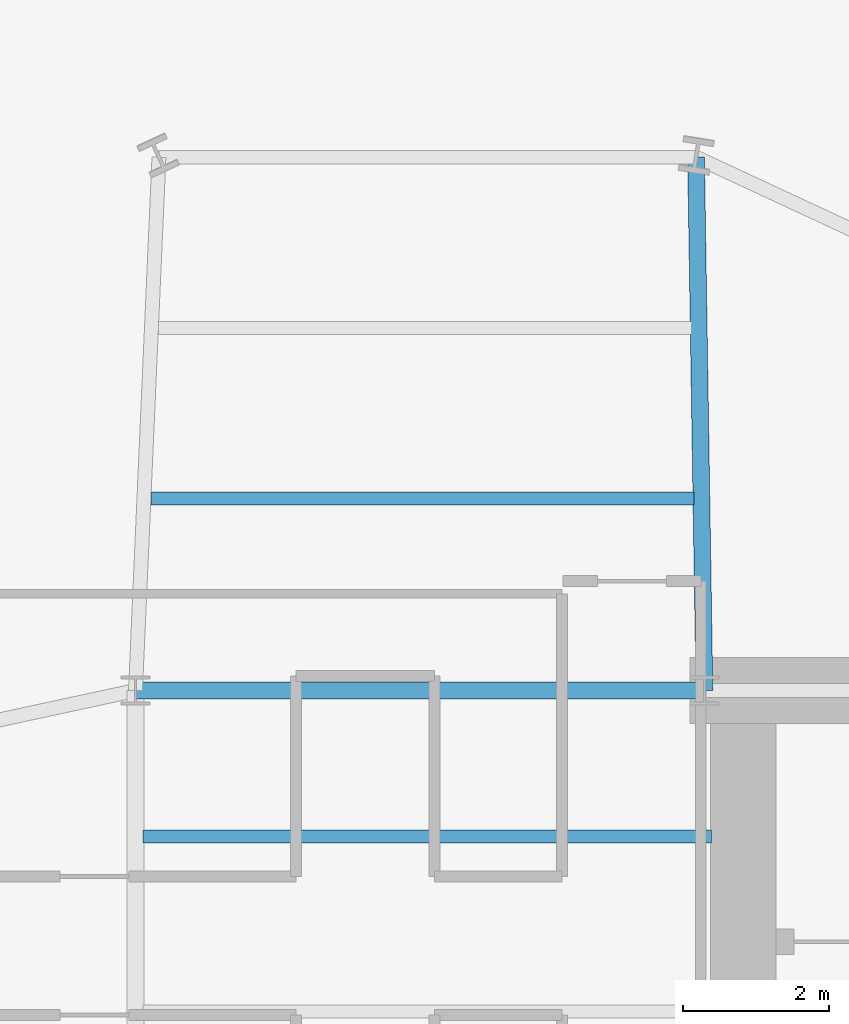
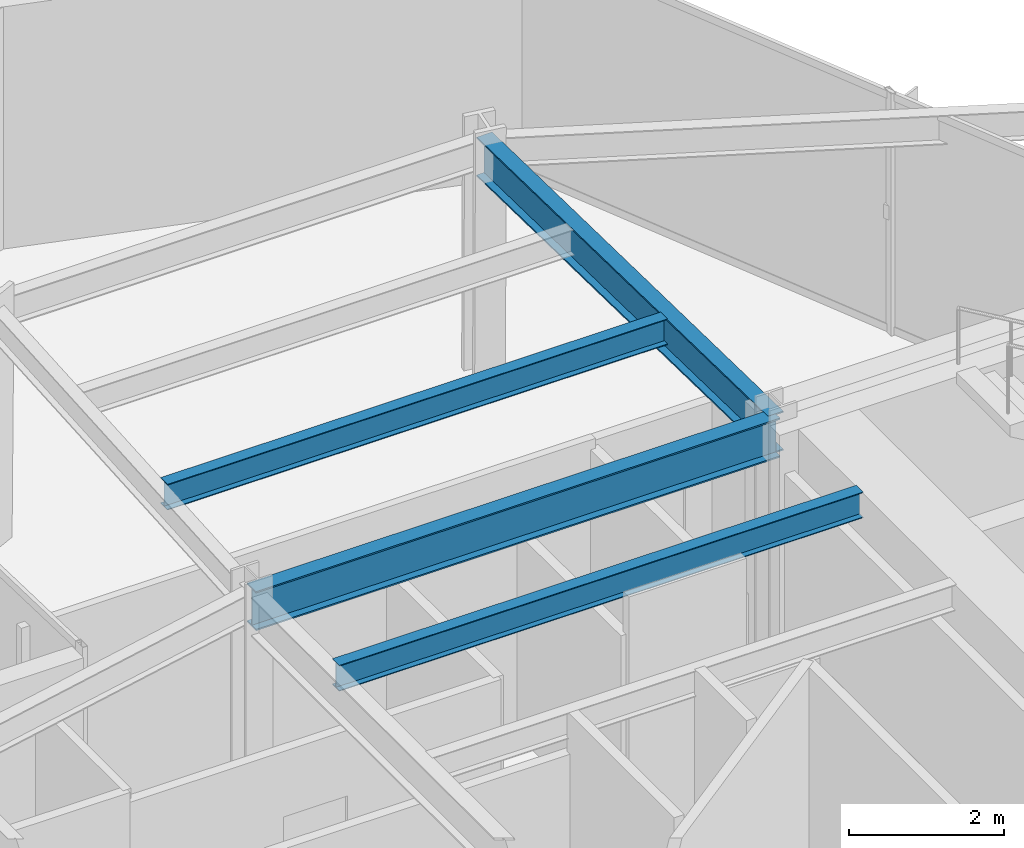
# One storey, part 10 of 27: 4 beams.
"""IFC4 building model written with IfcOpenShell, lengths in metres."""

from ifc_helpers import new_model, si_unit, direction, frame, origin, origin_2d, place, context, subcontext, project, spatial, i_section, extrude, material, material_profile, profile_set, type_object, element, save


model = new_model("IFC4")

# Units and contexts
model_context = context("Model", 3, precision=1e-05, world=origin(), true_north=direction((0.0, 1.0)))
body_context = subcontext(model_context, "Body", "Model", "MODEL_VIEW")
ifc_project = project(units=[si_unit("LENGTHUNIT", "METRE"), si_unit("AREAUNIT", "SQUARE_METRE"), si_unit("VOLUMEUNIT", "CUBIC_METRE"), si_unit("PLANEANGLEUNIT", "RADIAN"), si_unit("MASSUNIT", "GRAM", prefix="KILO")], contexts=[model_context])

# Site, building, storey
site_placement = place(None, origin())
site = spatial("IfcSite", under=ifc_project, at=site_placement, CompositionType="ELEMENT")
building_placement = place(site_placement, origin())
building = spatial("IfcBuilding", under=site, at=building_placement, Name="Veymaron Broadcast Tower", CompositionType="ELEMENT")
storey_placement = place(building_placement, frame((0.0, 0.0, 86.39990234375)))
storey = spatial("IfcBuildingStorey", under=building, at=storey_placement, Name="L19", CompositionType="ELEMENT", Elevation=86.39990234375)

# Beams
ifc_material = material(Name="Structural steel ASTM A992 Gr 50", Category="steel")
ifc_material_profile_1 = material_profile(ifc_material, i_section(OverallWidth=0.22998046875, OverallDepth=0.616943359375, WebThickness=0.01318359375, FlangeThickness=0.022216796875, at=origin_2d()), Name="W610X140")
ifc_profile_set_1 = profile_set([ifc_material_profile_1], Name="Structural steel ASTM A992 Gr 50")
beam_type_1 = type_object("IfcBeamType", Name="BM-FG1", PredefinedType="BEAM", material=ifc_profile_set_1)
beam_1_placement = place(storey_placement, frame((31.199951171875, 32.0, 3.501708984375), z_axis=(1.0, 0.0, 0.0), x_axis=(0.0, 1.0, 0.0)))
element("IfcBeam", 1, at=beam_1_placement, inside=storey, type_object=beam_type_1, Name="L19 primary structural floor girder", PredefinedType="BEAM", context=body_context, shape_type="SweptSolid", body=[
    extrude(i_section(OverallWidth=0.22998046875, OverallDepth=0.616943359375, WebThickness=0.01318359375, FlangeThickness=0.022216796875, at=origin_2d()), origin(), (0.0, 0.0, 1.0), 7.800048828125),
])
beam_2_placement = place(storey_placement, frame((39.0, 32.0, 3.501708984375), z_axis=(-0.015728466279, 0.999876300023, 0.0), x_axis=(-0.999876300023, -0.015728466279, 0.0)))
element("IfcBeam", 2, at=beam_2_placement, inside=storey, type_object=beam_type_1, Name="L19 primary structural floor girder", PredefinedType="BEAM", context=body_context, shape_type="SweptSolid", body=[
    extrude(i_section(OverallWidth=0.22998046875, OverallDepth=0.616943359375, WebThickness=0.01318359375, FlangeThickness=0.022216796875, at=origin_2d()), origin(), (0.0, 0.0, 1.0), 7.31103515625),
])
ifc_material_profile_2 = material_profile(ifc_material, i_section(OverallWidth=0.177978515625, OverallDepth=0.406982421875, WebThickness=0.0078125, FlangeThickness=0.0126953125, at=origin_2d()), Name="W410X60")
ifc_profile_set_2 = profile_set([ifc_material_profile_2], Name="Structural steel ASTM A992 Gr 50")
beam_type_2 = type_object("IfcBeamType", Name="BM-JS1", PredefinedType="JOIST", material=ifc_profile_set_2)
beam_3_placement = place(storey_placement, frame((31.416015625, 34.631591796875, 3.606689453125), z_axis=(1.0, 0.0, 0.0), x_axis=(0.0, 1.0, 0.0)))
element("IfcBeam", 3, at=beam_3_placement, inside=storey, type_object=beam_type_2, Name="L19 Arm-B secondary joist 1", PredefinedType="JOIST", context=body_context, shape_type="SweptSolid", body=[
    extrude(i_section(OverallWidth=0.177978515625, OverallDepth=0.406982421875, WebThickness=0.0078125, FlangeThickness=0.0126953125, at=origin_2d()), origin(), (0.0, 0.0, 1.0), 7.442626953125),
])
beam_4_placement = place(storey_placement, frame((31.300048828125, 30.0, 3.606689453125), z_axis=(1.0, 0.0, 0.0), x_axis=(0.0, 1.0, 0.0)))
element("IfcBeam", 4, at=beam_4_placement, inside=storey, type_object=beam_type_2, Name="L19 Hub secondary joist 4", PredefinedType="JOIST", context=body_context, shape_type="SweptSolid", body=[
    extrude(i_section(OverallWidth=0.177978515625, OverallDepth=0.406982421875, WebThickness=0.0078125, FlangeThickness=0.0126953125, at=origin_2d()), origin(), (0.0, 0.0, 1.0), 7.800048828125),
])

save(model, "model.ifc")
